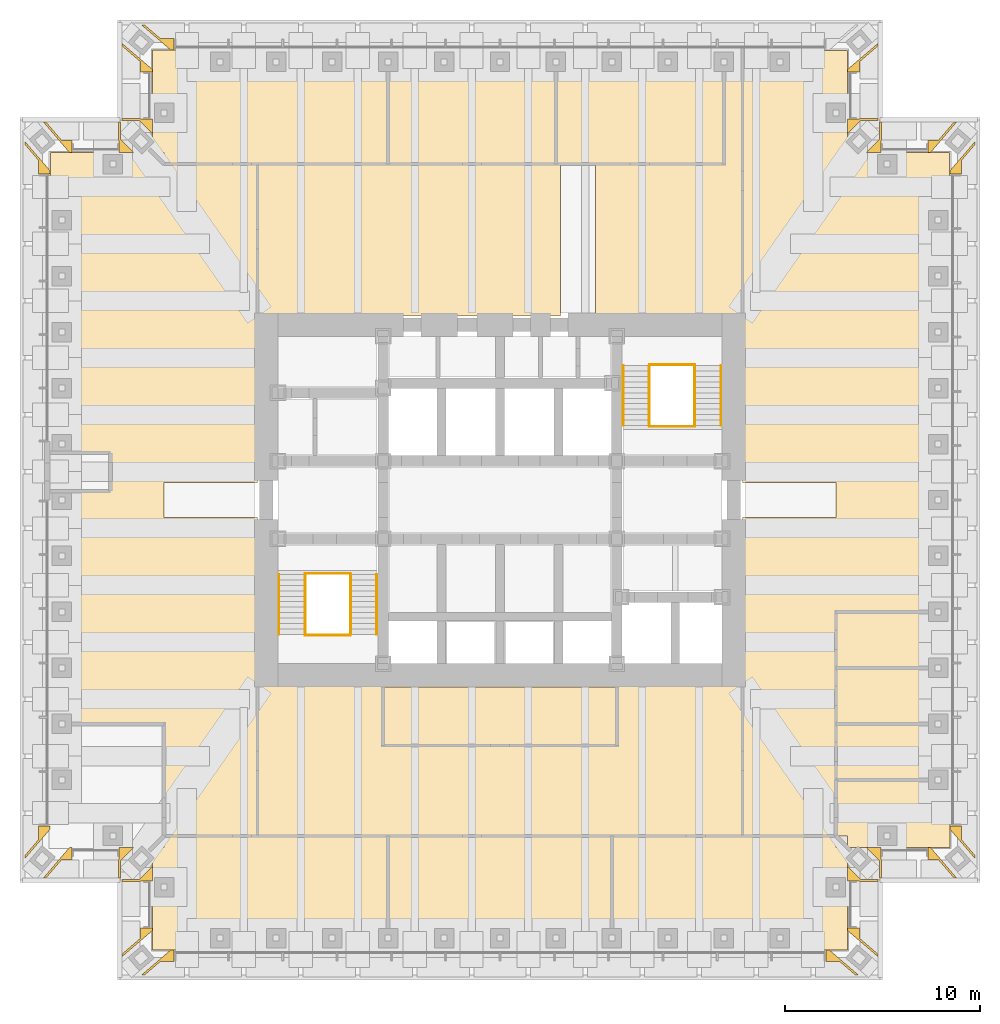
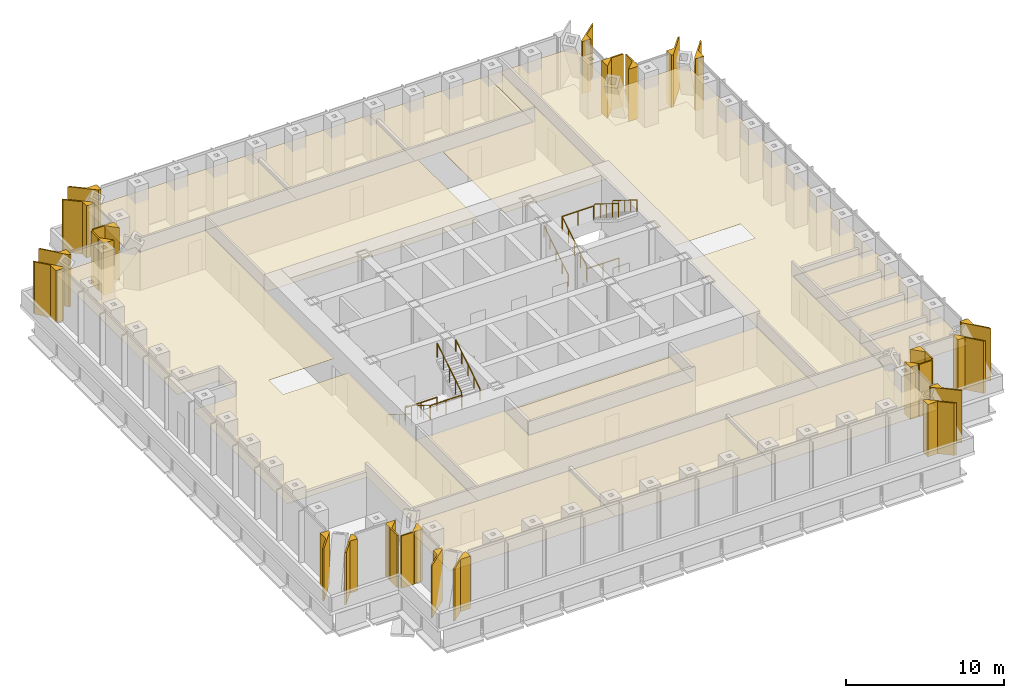
# One storey, part 12 of 13: 39 coverings, 12 railings.
"""IFC4 building model written with IfcOpenShell, lengths in metres."""

from ifc_helpers import new_model, si_unit, direction, frame, origin, origin_2d, place, context, subcontext, project, spatial, polyline, circle, outline, extrude, material, layer, layer_set, type_object, element, save


model = new_model("IFC4")

# Units and contexts
model_context = context("Model", 3, precision=1e-05, world=origin(), true_north=direction((0.0, 1.0)))
body_context = subcontext(model_context, "Body", "Model", "MODEL_VIEW")
ifc_project = project(units=[si_unit("LENGTHUNIT", "METRE"), si_unit("AREAUNIT", "SQUARE_METRE"), si_unit("VOLUMEUNIT", "CUBIC_METRE"), si_unit("PLANEANGLEUNIT", "RADIAN"), si_unit("MASSUNIT", "GRAM", prefix="KILO")], contexts=[model_context])

# Site, building, storey
site_placement = place(None, origin())
site = spatial("IfcSite", under=ifc_project, at=site_placement, CompositionType="ELEMENT")
building_placement = place(site_placement, origin())
building = spatial("IfcBuilding", under=site, at=building_placement, Name="Daluyong Arena Tower", CompositionType="ELEMENT")
storey_placement = place(building_placement, frame((0.0, 0.0, 108.10009765625)))
storey = spatial("IfcBuildingStorey", under=building, at=storey_placement, Name="L23", CompositionType="ELEMENT", Elevation=108.10009765625)

# Coverings
ifc_material_1 = material(Name="Mineral fibre ceiling tile", Category="gypsum board")
ifc_layer_1 = layer(ifc_material_1, 0.02001953125)
ifc_layer_set_1 = layer_set([ifc_layer_1], Name="Mineral fibre ceiling tile")
covering_type_1 = type_object("IfcCoveringType", Name="Office ceiling", PredefinedType="CEILING", material=ifc_layer_set_1)
covering_1_placement = place(storey_placement, frame((0.0, 0.0, 2.89990234375)))
element("IfcCovering", 1, at=covering_1_placement, inside=storey, type_object=covering_type_1, Name="ceiling L23-01", PredefinedType="CEILING", context=body_context, shape_type="SweptSolid", body=[
    extrude(outline(polyline([(38.14990234375, 62.14990234375), (38.14990234375, 56.89990234375), (50.25, 56.89990234375), (50.25, 62.75), (38.75, 62.75), (38.75, 62.14990234375), (38.14990234375, 62.14990234375)])), origin(), (0.0, 0.0, 1.0), 0.02001953125),
])
covering_2_placement = place(storey_placement, frame((0.0, 0.0, 2.89990234375)))
element("IfcCovering", 2, at=covering_2_placement, inside=storey, type_object=covering_type_1, Name="ceiling L23-02", PredefinedType="CEILING", context=body_context, shape_type="SweptSolid", body=[
    extrude(outline(polyline([(50.25, 62.75), (50.25, 56.89990234375), (61.75, 56.89990234375), (61.75, 62.75), (50.25, 62.75)])), origin(), (0.0, 0.0, 1.0), 0.02001953125),
])
covering_3_placement = place(storey_placement, frame((0.0, 0.0, 2.89990234375)))
element("IfcCovering", 3, at=covering_3_placement, inside=storey, type_object=covering_type_1, Name="ceiling L23-03", PredefinedType="CEILING", context=body_context, shape_type="SweptSolid", body=[
    extrude(outline(polyline([(73.85009765625, 56.89990234375), (73.85009765625, 62.14990234375), (73.25, 62.14990234375), (73.25, 62.75), (61.75, 62.75), (61.75, 56.89990234375), (73.85009765625, 56.89990234375)])), origin(), (0.0, 0.0, 1.0), 0.02001953125),
])
covering_4_placement = place(storey_placement, frame((0.0, 0.0, 2.89990234375)))
element("IfcCovering", 4, at=covering_4_placement, inside=storey, type_object=covering_type_1, Name="ceiling L23-04", PredefinedType="CEILING", context=body_context, shape_type="SweptSolid", body=[
    extrude(outline(polyline([(73.85009765625, 62.14990234375), (79.10009765625, 62.14990234375), (79.10009765625, 65.625), (73.25, 65.625), (73.25, 62.75), (73.85009765625, 62.75), (73.85009765625, 62.14990234375)])), origin(), (0.0, 0.0, 1.0), 0.02001953125),
])
covering_5_placement = place(storey_placement, frame((0.0, 0.0, 2.89990234375)))
element("IfcCovering", 5, at=covering_5_placement, inside=storey, type_object=covering_type_1, Name="ceiling L23-05", PredefinedType="CEILING", context=body_context, shape_type="SweptSolid", body=[
    extrude(outline(polyline([(73.25, 65.625), (79.10009765625, 65.625), (79.10009765625, 68.5), (73.25, 68.5), (73.25, 65.625)])), origin(), (0.0, 0.0, 1.0), 0.02001953125),
])
covering_6_placement = place(storey_placement, frame((0.0, 0.0, 2.89990234375)))
element("IfcCovering", 6, at=covering_6_placement, inside=storey, type_object=covering_type_1, Name="ceiling L23-06", PredefinedType="CEILING", context=body_context, shape_type="SweptSolid", body=[
    extrude(outline(polyline([(73.25, 68.5), (79.10009765625, 68.5), (79.10009765625, 71.375), (73.25, 71.375), (73.25, 68.5)])), origin(), (0.0, 0.0, 1.0), 0.02001953125),
])
covering_7_placement = place(storey_placement, frame((0.0, 0.0, 2.89990234375)))
element("IfcCovering", 7, at=covering_7_placement, inside=storey, type_object=covering_type_1, Name="ceiling L23-07", PredefinedType="CEILING", context=body_context, shape_type="SweptSolid", body=[
    extrude(outline(polyline([(73.25, 71.375), (79.10009765625, 71.375), (79.10009765625, 74.25), (73.25, 74.25), (73.25, 71.375)])), origin(), (0.0, 0.0, 1.0), 0.02001953125),
])
covering_8_placement = place(storey_placement, frame((0.0, 0.0, 2.89990234375)))
element("IfcCovering", 8, at=covering_8_placement, inside=storey, type_object=covering_type_1, Name="ceiling L23-08", PredefinedType="CEILING", context=body_context, shape_type="SweptSolid", body=[
    extrude(outline(polyline([(50.25, 97.25), (50.25, 103.10009765625), (38.14990234375, 103.10009765625), (38.14990234375, 97.85009765625), (38.75, 97.85009765625), (38.75, 97.25), (50.25, 97.25)])), origin(), (0.0, 0.0, 1.0), 0.02001953125),
])
covering_9_placement = place(storey_placement, frame((0.0, 0.0, 2.89990234375)))
element("IfcCovering", 9, at=covering_9_placement, inside=storey, type_object=covering_type_1, Name="ceiling L23-09", PredefinedType="CEILING", context=body_context, shape_type="SweptSolid", body=[
    extrude(outline(polyline([(58.875, 97.25), (58.875, 103.10009765625), (50.25, 103.10009765625), (50.25, 97.25), (58.875, 97.25)])), origin(), (0.0, 0.0, 1.0), 0.02001953125),
])
covering_10_placement = place(storey_placement, frame((0.0, 0.0, 2.89990234375)))
element("IfcCovering", 10, at=covering_10_placement, inside=storey, type_object=covering_type_1, Name="ceiling L23-10", PredefinedType="CEILING", context=body_context, shape_type="SweptSolid", body=[
    extrude(outline(polyline([(67.5, 97.25), (67.5, 103.10009765625), (58.875, 103.10009765625), (58.875, 97.25), (67.5, 97.25)])), origin(), (0.0, 0.0, 1.0), 0.02001953125),
])
covering_11_placement = place(storey_placement, frame((0.0, 0.0, 2.89990234375)))
element("IfcCovering", 11, at=covering_11_placement, inside=storey, type_object=covering_type_1, Name="ceiling L23-12", PredefinedType="CEILING", context=body_context, shape_type="SweptSolid", body=[
    extrude(outline(polyline([(50.0, 67.39990234375), (62.0, 67.39990234375), (62.0, 70.39990234375), (50.0, 70.39990234375), (50.0, 67.39990234375)])), origin(), (0.0, 0.0, 1.0), 0.02001953125),
])
covering_12_placement = place(storey_placement, frame((0.0, 0.0, 2.89990234375)))
element("IfcCovering", 12, at=covering_12_placement, inside=storey, type_object=covering_type_1, Name="ceiling L23-16", PredefinedType="CEILING", context=body_context, shape_type="SweptSolid", body=[
    extrude(outline(polyline([(68.449951171875, 70.550048828125), (43.550048828125, 70.550048828125), (43.550048828125, 62.75), (68.449951171875, 62.75), (68.449951171875, 70.550048828125)]), holes=[polyline([(62.0, 70.39990234375), (62.0, 67.39990234375), (50.0, 67.39990234375), (50.0, 70.39990234375), (62.0, 70.39990234375)])]), origin(), (0.0, 0.0, 1.0), 0.02001953125),
])
covering_13_placement = place(storey_placement, frame((0.0, 0.0, 2.89990234375)))
element("IfcCovering", 13, at=covering_13_placement, inside=storey, type_object=covering_type_1, Name="ceiling L23-17", PredefinedType="CEILING", context=body_context, shape_type="SweptSolid", body=[
    extrude(outline(polyline([(73.239990234375, 62.760009765625), (73.239990234375, 74.260009765625), (79.090087890625, 74.260009765625), (79.090087890625, 97.840087890625), (73.840087890625, 97.840087890625), (73.840087890625, 103.090087890625), (68.4599609375, 103.090087890625), (68.4599609375, 80.909912109375), (73.260009765625, 80.909912109375), (73.260009765625, 79.090087890625), (68.4599609375, 79.090087890625), (68.4599609375, 62.760009765625), (73.239990234375, 62.760009765625)])), origin(), (0.0, 0.0, 1.0), 0.02001953125),
])
covering_14_placement = place(storey_placement, frame((0.0, 0.0, 2.89990234375)))
element("IfcCovering", 14, at=covering_14_placement, inside=storey, type_object=covering_type_1, Name="ceiling L23-18", PredefinedType="CEILING", context=body_context, shape_type="SweptSolid", body=[
    extrude(outline(polyline([(43.550048828125, 97.25), (43.550048828125, 89.449951171875), (59.10009765625, 89.449951171875), (59.10009765625, 97.25), (43.550048828125, 97.25)])), origin(), (0.0, 0.0, 1.0), 0.02001953125),
])
covering_15_placement = place(storey_placement, frame((0.0, 0.0, 2.89990234375)))
element("IfcCovering", 15, at=covering_15_placement, inside=storey, type_object=covering_type_1, Name="ceiling L23-19", PredefinedType="CEILING", context=body_context, shape_type="SweptSolid", body=[
    extrude(outline(polyline([(60.89990234375, 89.449951171875), (68.449951171875, 89.449951171875), (68.449951171875, 103.10009765625), (67.5, 103.10009765625), (67.5, 97.25), (60.89990234375, 97.25), (60.89990234375, 89.449951171875)])), origin(), (0.0, 0.0, 1.0), 0.02001953125),
])
covering_16_placement = place(storey_placement, frame((0.0, 0.0, 2.89990234375)))
element("IfcCovering", 16, at=covering_16_placement, inside=storey, type_object=covering_type_1, Name="ceiling L23-20", PredefinedType="CEILING", context=body_context, shape_type="SweptSolid", body=[
    extrude(outline(polyline([(38.760009765625, 68.510009765625), (38.760009765625, 62.760009765625), (43.5400390625, 62.760009765625), (43.5400390625, 79.090087890625), (38.739990234375, 79.090087890625), (38.739990234375, 80.909912109375), (43.5400390625, 80.909912109375), (43.5400390625, 97.239990234375), (38.739990234375, 97.239990234375), (38.739990234375, 97.840087890625), (32.909912109375, 97.840087890625), (32.909912109375, 82.425048828125), (36.0, 82.425048828125), (36.0, 80.449951171875), (32.909912109375, 80.449951171875), (32.909912109375, 68.510009765625), (38.760009765625, 68.510009765625)])), origin(), (0.0, 0.0, 1.0), 0.02001953125),
])

# Railings
ifc_material_2 = material(Name="Stainless steel handrail", Category="steel")
railing_type_1 = type_object("IfcRailingType", Name="Stair handrail", PredefinedType="HANDRAIL", material=ifc_material_2)
railing_1_placement = place(storey_placement, frame((44.64990234375, 76.175048828125, 0.1748046875)))
element("IfcRailing", 17, at=railing_1_placement, inside=storey, type_object=railing_type_1, Name="exit stair A handrail L23", PredefinedType="HANDRAIL", context=body_context, shape_type="SweptSolid", body=[
    extrude(circle(Radius=0.02392578125, at=origin_2d()), frame((0.0, 0.0, 0.8759765625), z_axis=(0.0, -0.847998304005, 0.529998940003), x_axis=(1.0, 0.0, 0.0)), (0.0, 0.0, 1.0), 3.632080078125),
    extrude(circle(Radius=0.02099609375, at=origin_2d()), origin(), (0.0, 0.0, 1.0), 0.851806640625),
    extrude(circle(Radius=0.02099609375, at=origin_2d()), frame((0.0, -0.77001953125, 0.481201171875)), (0.0, 0.0, 1.0), 0.851806640625),
    extrude(circle(Radius=0.02099609375, at=origin_2d()), frame((0.0, -1.5400390625, 0.96240234375)), (0.0, 0.0, 1.0), 0.851806640625),
    extrude(circle(Radius=0.02099609375, at=origin_2d()), frame((0.0, -2.31005859375, 1.44384765625)), (0.0, 0.0, 1.0), 0.851806640625),
    extrude(circle(Radius=0.02099609375, at=origin_2d()), frame((0.0, -3.080078125, 1.925048828125)), (0.0, 0.0, 1.0), 0.851806640625),
])
for number, where, name in (
    (18, (49.675048828125, 73.094970703125, 2.27490234375), "exit stair A handrail L23"),
    (19, (62.324951171875, 83.824951171875, 0.1748046875), "exit stair B handrail L23"),
):
    element("IfcRailing", number, at=place(storey_placement, frame(where)), inside=storey, type_object=railing_type_1, Name=name, PredefinedType="HANDRAIL", context=body_context, shape_type="SweptSolid", body=[
        extrude(circle(Radius=0.02392578125, at=origin_2d()), frame((0.0, 0.0, 0.8759765625), z_axis=(0.0, 0.847998304005, 0.529998940003), x_axis=(-1.0, 0.0, 0.0)), (0.0, 0.0, 1.0), 3.632080078125),
        extrude(circle(Radius=0.02099609375, at=origin_2d()), origin(), (0.0, 0.0, 1.0), 0.851806640625),
        extrude(circle(Radius=0.02099609375, at=origin_2d()), frame((0.0, 0.77001953125, 0.481201171875)), (0.0, 0.0, 1.0), 0.851806640625),
        extrude(circle(Radius=0.02099609375, at=origin_2d()), frame((0.0, 1.5400390625, 0.96240234375)), (0.0, 0.0, 1.0), 0.851806640625),
        extrude(circle(Radius=0.02099609375, at=origin_2d()), frame((0.0, 2.31005859375, 1.44384765625)), (0.0, 0.0, 1.0), 0.851806640625),
        extrude(circle(Radius=0.02099609375, at=origin_2d()), frame((0.0, 3.080078125, 1.925048828125)), (0.0, 0.0, 1.0), 0.851806640625),
    ])
railing_2_placement = place(storey_placement, frame((67.35009765625, 86.905029296875, 2.27490234375)))
element("IfcRailing", 20, at=railing_2_placement, inside=storey, type_object=railing_type_1, Name="exit stair B handrail L23", PredefinedType="HANDRAIL", context=body_context, shape_type="SweptSolid", body=[
    extrude(circle(Radius=0.02392578125, at=origin_2d()), frame((0.0, 0.0, 0.8759765625), z_axis=(0.0, -0.847998304005, 0.529998940003), x_axis=(1.0, 0.0, 0.0)), (0.0, 0.0, 1.0), 3.632080078125),
    extrude(circle(Radius=0.02099609375, at=origin_2d()), origin(), (0.0, 0.0, 1.0), 0.851806640625),
    extrude(circle(Radius=0.02099609375, at=origin_2d()), frame((0.0, -0.77001953125, 0.481201171875)), (0.0, 0.0, 1.0), 0.851806640625),
    extrude(circle(Radius=0.02099609375, at=origin_2d()), frame((0.0, -1.5400390625, 0.96240234375)), (0.0, 0.0, 1.0), 0.851806640625),
    extrude(circle(Radius=0.02099609375, at=origin_2d()), frame((0.0, -2.31005859375, 1.44384765625)), (0.0, 0.0, 1.0), 0.851806640625),
    extrude(circle(Radius=0.02099609375, at=origin_2d()), frame((0.0, -3.080078125, 1.925048828125)), (0.0, 0.0, 1.0), 0.851806640625),
])
ifc_material_3 = material(Name="Steel balustrade", Category="steel")
railing_type_2 = type_object("IfcRailingType", Name="Stair well guard 1100", PredefinedType="GUARDRAIL", material=ifc_material_3)
railing_3_placement = place(storey_placement, frame((46.0, 76.175048828125, 0.1748046875)))
element("IfcRailing", 21, at=railing_3_placement, inside=storey, type_object=railing_type_2, Name="exit stair A well guard L23", PredefinedType="GUARDRAIL", context=body_context, shape_type="SweptSolid", body=[
    extrude(circle(Radius=0.02392578125, at=origin_2d()), frame((0.0, 0.0, 1.076171875), z_axis=(0.0, -0.847998304005, 0.529998940003), x_axis=(1.0, 0.0, 0.0)), (0.0, 0.0, 1.0), 3.632080078125),
    extrude(circle(Radius=0.02099609375, at=origin_2d()), origin(), (0.0, 0.0, 1.0), 1.052001953125),
    extrude(circle(Radius=0.02099609375, at=origin_2d()), frame((0.0, -0.77001953125, 0.481201171875)), (0.0, 0.0, 1.0), 1.052001953125),
    extrude(circle(Radius=0.02099609375, at=origin_2d()), frame((0.0, -1.5400390625, 0.96240234375)), (0.0, 0.0, 1.0), 1.052001953125),
    extrude(circle(Radius=0.02099609375, at=origin_2d()), frame((0.0, -2.31005859375, 1.44384765625)), (0.0, 0.0, 1.0), 1.052001953125),
    extrude(circle(Radius=0.02099609375, at=origin_2d()), frame((0.0, -3.080078125, 1.925048828125)), (0.0, 0.0, 1.0), 1.052001953125),
])
railing_4_placement = place(storey_placement, frame((48.324951171875, 73.094970703125, 2.27490234375)))
element("IfcRailing", 22, at=railing_4_placement, inside=storey, type_object=railing_type_2, Name="exit stair A well guard L23", PredefinedType="GUARDRAIL", context=body_context, shape_type="SweptSolid", body=[
    extrude(circle(Radius=0.02392578125, at=origin_2d()), frame((0.0, 0.0, 1.076171875), z_axis=(0.0, 0.847998304005, 0.529998940003), x_axis=(-1.0, 0.0, 0.0)), (0.0, 0.0, 1.0), 3.632080078125),
    extrude(circle(Radius=0.02099609375, at=origin_2d()), origin(), (0.0, 0.0, 1.0), 1.052001953125),
    extrude(circle(Radius=0.02099609375, at=origin_2d()), frame((0.0, 0.77001953125, 0.481201171875)), (0.0, 0.0, 1.0), 1.052001953125),
    extrude(circle(Radius=0.02099609375, at=origin_2d()), frame((0.0, 1.5400390625, 0.96240234375)), (0.0, 0.0, 1.0), 1.052001953125),
    extrude(circle(Radius=0.02099609375, at=origin_2d()), frame((0.0, 2.31005859375, 1.44384765625)), (0.0, 0.0, 1.0), 1.052001953125),
    extrude(circle(Radius=0.02099609375, at=origin_2d()), frame((0.0, 3.080078125, 1.925048828125)), (0.0, 0.0, 1.0), 1.052001953125),
])
for number, where, name in (
    (23, (46.0, 73.044921875, 2.099853515625), "exit stair A landing guard L23"),
    (24, (46.0, 76.22509765625, 0.0), "exit stair A floor landing guard L23"),
):
    element("IfcRailing", number, at=place(storey_placement, frame(where)), inside=storey, type_object=railing_type_2, Name=name, PredefinedType="GUARDRAIL", context=body_context, shape_type="SweptSolid", body=[
        extrude(circle(Radius=0.02392578125, at=origin_2d()), frame((0.0, 0.0, 1.076171875), z_axis=(1.0, 0.0, 0.0), x_axis=(0.0, 1.0, 0.0)), (0.0, 0.0, 1.0), 2.324951171875),
        extrude(circle(Radius=0.02099609375, at=origin_2d()), origin(), (0.0, 0.0, 1.0), 1.052001953125),
        extrude(circle(Radius=0.02099609375, at=origin_2d()), frame((1.16259765625, 0.0, 0.0)), (0.0, 0.0, 1.0), 1.052001953125),
        extrude(circle(Radius=0.02099609375, at=origin_2d()), frame((2.324951171875, 0.0, 0.0)), (0.0, 0.0, 1.0), 1.052001953125),
    ])
railing_5_placement = place(storey_placement, frame((63.675048828125, 83.824951171875, 0.1748046875)))
element("IfcRailing", 25, at=railing_5_placement, inside=storey, type_object=railing_type_2, Name="exit stair B well guard L23", PredefinedType="GUARDRAIL", context=body_context, shape_type="SweptSolid", body=[
    extrude(circle(Radius=0.02392578125, at=origin_2d()), frame((0.0, 0.0, 1.076171875), z_axis=(0.0, 0.847998304005, 0.529998940003), x_axis=(-1.0, 0.0, 0.0)), (0.0, 0.0, 1.0), 3.632080078125),
    extrude(circle(Radius=0.02099609375, at=origin_2d()), origin(), (0.0, 0.0, 1.0), 1.052001953125),
    extrude(circle(Radius=0.02099609375, at=origin_2d()), frame((0.0, 0.77001953125, 0.481201171875)), (0.0, 0.0, 1.0), 1.052001953125),
    extrude(circle(Radius=0.02099609375, at=origin_2d()), frame((0.0, 1.5400390625, 0.96240234375)), (0.0, 0.0, 1.0), 1.052001953125),
    extrude(circle(Radius=0.02099609375, at=origin_2d()), frame((0.0, 2.31005859375, 1.44384765625)), (0.0, 0.0, 1.0), 1.052001953125),
    extrude(circle(Radius=0.02099609375, at=origin_2d()), frame((0.0, 3.080078125, 1.925048828125)), (0.0, 0.0, 1.0), 1.052001953125),
])
railing_6_placement = place(storey_placement, frame((66.0, 86.905029296875, 2.27490234375)))
element("IfcRailing", 26, at=railing_6_placement, inside=storey, type_object=railing_type_2, Name="exit stair B well guard L23", PredefinedType="GUARDRAIL", context=body_context, shape_type="SweptSolid", body=[
    extrude(circle(Radius=0.02392578125, at=origin_2d()), frame((0.0, 0.0, 1.076171875), z_axis=(0.0, -0.847998304005, 0.529998940003), x_axis=(1.0, 0.0, 0.0)), (0.0, 0.0, 1.0), 3.632080078125),
    extrude(circle(Radius=0.02099609375, at=origin_2d()), origin(), (0.0, 0.0, 1.0), 1.052001953125),
    extrude(circle(Radius=0.02099609375, at=origin_2d()), frame((0.0, -0.77001953125, 0.481201171875)), (0.0, 0.0, 1.0), 1.052001953125),
    extrude(circle(Radius=0.02099609375, at=origin_2d()), frame((0.0, -1.5400390625, 0.96240234375)), (0.0, 0.0, 1.0), 1.052001953125),
    extrude(circle(Radius=0.02099609375, at=origin_2d()), frame((0.0, -2.31005859375, 1.44384765625)), (0.0, 0.0, 1.0), 1.052001953125),
    extrude(circle(Radius=0.02099609375, at=origin_2d()), frame((0.0, -3.080078125, 1.925048828125)), (0.0, 0.0, 1.0), 1.052001953125),
])
for number, where, name in (
    (27, (63.675048828125, 86.955078125, 2.099853515625), "exit stair B landing guard L23"),
    (28, (63.675048828125, 83.77490234375, 0.0), "exit stair B floor landing guard L23"),
):
    element("IfcRailing", number, at=place(storey_placement, frame(where)), inside=storey, type_object=railing_type_2, Name=name, PredefinedType="GUARDRAIL", context=body_context, shape_type="SweptSolid", body=[
        extrude(circle(Radius=0.02392578125, at=origin_2d()), frame((0.0, 0.0, 1.076171875), z_axis=(1.0, 0.0, 0.0), x_axis=(0.0, 1.0, 0.0)), (0.0, 0.0, 1.0), 2.324951171875),
        extrude(circle(Radius=0.02099609375, at=origin_2d()), origin(), (0.0, 0.0, 1.0), 1.052001953125),
        extrude(circle(Radius=0.02099609375, at=origin_2d()), frame((1.16259765625, 0.0, 0.0)), (0.0, 0.0, 1.0), 1.052001953125),
        extrude(circle(Radius=0.02099609375, at=origin_2d()), frame((2.324951171875, 0.0, 0.0)), (0.0, 0.0, 1.0), 1.052001953125),
    ])

# Coverings
ifc_material_4 = material(Name="Bronze anodised aluminium cladding", Category="aluminium")
ifc_layer_2 = layer(ifc_material_4, 0.10009765625)
ifc_layer_set_2 = layer_set([ifc_layer_2], Name="Bronze anodised aluminium cladding")
covering_type_2 = type_object("IfcCoveringType", Name="Transition column casing 100", PredefinedType="CLADDING", material=ifc_layer_set_2)
covering_17_placement = place(storey_placement, origin())
element("IfcCovering", 29, at=covering_17_placement, inside=storey, type_object=covering_type_2, Name="transition column casing L23 1", PredefinedType="CLADDING", context=body_context, shape_type="SweptSolid", body=[
    extrude(outline(polyline([(37.550048828125, 57.504638671875), (37.550048828125, 58.029052734375), (38.14990234375, 58.029052734375), (38.14990234375, 57.88720703125), (36.60009765625, 56.55859375), (36.60009765625, 56.6904296875), (37.550048828125, 57.504638671875)])), origin(), (0.0, 0.0, 1.0), 4.039794921875),
])
covering_18_placement = place(storey_placement, origin())
element("IfcCovering", 30, at=covering_18_placement, inside=storey, type_object=covering_type_2, Name="transition column casing L23 2", PredefinedType="CLADDING", context=body_context, shape_type="SweptSolid", body=[
    extrude(outline(polyline([(39.101806640625, 56.89990234375), (39.265380859375, 56.89990234375), (39.265380859375, 56.300048828125), (38.555419921875, 56.300048828125), (37.73876953125, 55.60009765625), (37.585205078125, 55.60009765625), (39.101806640625, 56.89990234375)])), origin(), (0.0, 0.0, 1.0), 4.039794921875),
])
covering_19_placement = place(storey_placement, origin())
element("IfcCovering", 31, at=covering_19_placement, inside=storey, type_object=covering_type_2, Name="transition column casing L23 1", PredefinedType="CLADDING", context=body_context, shape_type="SweptSolid", body=[
    extrude(outline(polyline([(72.734619140625, 56.89990234375), (72.898193359375, 56.89990234375), (74.414794921875, 55.60009765625), (74.26123046875, 55.60009765625), (73.444580078125, 56.300048828125), (72.734619140625, 56.300048828125), (72.734619140625, 56.89990234375)])), origin(), (0.0, 0.0, 1.0), 4.039794921875),
])
covering_20_placement = place(storey_placement, origin())
element("IfcCovering", 32, at=covering_20_placement, inside=storey, type_object=covering_type_2, Name="transition column casing L23 2", PredefinedType="CLADDING", context=body_context, shape_type="SweptSolid", body=[
    extrude(outline(polyline([(73.85009765625, 57.88720703125), (73.85009765625, 58.029052734375), (74.449951171875, 58.029052734375), (74.449951171875, 57.504638671875), (75.39990234375, 56.6904296875), (75.39990234375, 56.55859375), (73.85009765625, 57.88720703125)])), origin(), (0.0, 0.0, 1.0), 4.039794921875),
])
covering_21_placement = place(storey_placement, origin())
element("IfcCovering", 33, at=covering_21_placement, inside=storey, type_object=covering_type_2, Name="transition column casing L23 1", PredefinedType="CLADDING", context=body_context, shape_type="SweptSolid", body=[
    extrude(outline(polyline([(74.48779296875, 60.39990234375), (74.449951171875, 60.43798828125), (74.449951171875, 60.427978515625), (73.85009765625, 60.427978515625), (73.85009765625, 61.17919921875), (74.529296875, 60.5), (75.39990234375, 60.5), (75.39990234375, 60.39990234375), (74.48779296875, 60.39990234375)])), origin(), (0.0, 0.0, 1.0), 4.039794921875),
])
covering_22_placement = place(storey_placement, origin())
element("IfcCovering", 34, at=covering_22_placement, inside=storey, type_object=covering_type_2, Name="transition column casing L23 2", PredefinedType="CLADDING", context=body_context, shape_type="SweptSolid", body=[
    extrude(outline(polyline([(75.572021484375, 62.14990234375), (75.572021484375, 61.550048828125), (75.56201171875, 61.550048828125), (75.60009765625, 61.51220703125), (75.60009765625, 60.60009765625), (75.5, 60.60009765625), (75.5, 61.470703125), (74.82080078125, 62.14990234375), (75.572021484375, 62.14990234375)])), origin(), (0.0, 0.0, 1.0), 4.039794921875),
])
covering_23_placement = place(storey_placement, origin())
element("IfcCovering", 35, at=covering_23_placement, inside=storey, type_object=covering_type_2, Name="transition column casing L23 1", PredefinedType="CLADDING", context=body_context, shape_type="SweptSolid", body=[
    extrude(outline(polyline([(77.970947265625, 62.14990234375), (78.11279296875, 62.14990234375), (79.44140625, 60.60009765625), (79.3095703125, 60.60009765625), (78.495361328125, 61.550048828125), (77.970947265625, 61.550048828125), (77.970947265625, 62.14990234375)])), origin(), (0.0, 0.0, 1.0), 4.039794921875),
])
covering_24_placement = place(storey_placement, origin())
element("IfcCovering", 36, at=covering_24_placement, inside=storey, type_object=covering_type_2, Name="transition column casing L23 2", PredefinedType="CLADDING", context=body_context, shape_type="SweptSolid", body=[
    extrude(outline(polyline([(79.10009765625, 63.101806640625), (79.10009765625, 63.265380859375), (79.699951171875, 63.265380859375), (79.699951171875, 62.555419921875), (80.39990234375, 61.73876953125), (80.39990234375, 61.585205078125), (79.10009765625, 63.101806640625)])), origin(), (0.0, 0.0, 1.0), 4.039794921875),
])
covering_25_placement = place(storey_placement, origin())
element("IfcCovering", 37, at=covering_25_placement, inside=storey, type_object=covering_type_2, Name="transition column casing L23 1", PredefinedType="CLADDING", context=body_context, shape_type="SweptSolid", body=[
    extrude(outline(polyline([(77.970947265625, 97.85009765625), (77.970947265625, 98.449951171875), (78.495361328125, 98.449951171875), (79.3095703125, 99.39990234375), (79.44140625, 99.39990234375), (78.11279296875, 97.85009765625), (77.970947265625, 97.85009765625)])), origin(), (0.0, 0.0, 1.0), 4.039794921875),
])
covering_26_placement = place(storey_placement, origin())
element("IfcCovering", 38, at=covering_26_placement, inside=storey, type_object=covering_type_2, Name="transition column casing L23 2", PredefinedType="CLADDING", context=body_context, shape_type="SweptSolid", body=[
    extrude(outline(polyline([(79.699951171875, 97.444580078125), (79.699951171875, 96.734619140625), (79.10009765625, 96.734619140625), (79.10009765625, 96.898193359375), (80.39990234375, 98.414794921875), (80.39990234375, 98.26123046875), (79.699951171875, 97.444580078125)])), origin(), (0.0, 0.0, 1.0), 4.039794921875),
])
covering_27_placement = place(storey_placement, origin())
element("IfcCovering", 39, at=covering_27_placement, inside=storey, type_object=covering_type_2, Name="transition column casing L23 1", PredefinedType="CLADDING", context=body_context, shape_type="SweptSolid", body=[
    extrude(outline(polyline([(73.85009765625, 99.572021484375), (74.449951171875, 99.572021484375), (74.449951171875, 99.56201171875), (74.48779296875, 99.60009765625), (75.39990234375, 99.60009765625), (75.39990234375, 99.5), (74.529296875, 99.5), (73.85009765625, 98.82080078125), (73.85009765625, 99.572021484375)])), origin(), (0.0, 0.0, 1.0), 4.039794921875),
])
covering_28_placement = place(storey_placement, origin())
element("IfcCovering", 40, at=covering_28_placement, inside=storey, type_object=covering_type_2, Name="transition column casing L23 2", PredefinedType="CLADDING", context=body_context, shape_type="SweptSolid", body=[
    extrude(outline(polyline([(75.60009765625, 98.48779296875), (75.56201171875, 98.449951171875), (75.572021484375, 98.449951171875), (75.572021484375, 97.85009765625), (74.82080078125, 97.85009765625), (75.5, 98.529296875), (75.5, 99.39990234375), (75.60009765625, 99.39990234375), (75.60009765625, 98.48779296875)])), origin(), (0.0, 0.0, 1.0), 4.039794921875),
])
covering_29_placement = place(storey_placement, origin())
element("IfcCovering", 41, at=covering_29_placement, inside=storey, type_object=covering_type_2, Name="transition column casing L23 2", PredefinedType="CLADDING", context=body_context, shape_type="SweptSolid", body=[
    extrude(outline(polyline([(74.449951171875, 102.495361328125), (74.449951171875, 101.970947265625), (73.85009765625, 101.970947265625), (73.85009765625, 102.11279296875), (75.39990234375, 103.44140625), (75.39990234375, 103.3095703125), (74.449951171875, 102.495361328125)])), origin(), (0.0, 0.0, 1.0), 4.039794921875),
])
covering_30_placement = place(storey_placement, origin())
element("IfcCovering", 42, at=covering_30_placement, inside=storey, type_object=covering_type_2, Name="transition column casing L23 1", PredefinedType="CLADDING", context=body_context, shape_type="SweptSolid", body=[
    extrude(outline(polyline([(38.14990234375, 102.11279296875), (38.14990234375, 101.970947265625), (37.550048828125, 101.970947265625), (37.550048828125, 102.495361328125), (36.60009765625, 103.3095703125), (36.60009765625, 103.44140625), (38.14990234375, 102.11279296875)])), origin(), (0.0, 0.0, 1.0), 4.039794921875),
])
covering_31_placement = place(storey_placement, origin())
element("IfcCovering", 43, at=covering_31_placement, inside=storey, type_object=covering_type_2, Name="transition column casing L23 2", PredefinedType="CLADDING", context=body_context, shape_type="SweptSolid", body=[
    extrude(outline(polyline([(38.555419921875, 103.699951171875), (39.265380859375, 103.699951171875), (39.265380859375, 103.10009765625), (39.101806640625, 103.10009765625), (37.585205078125, 104.39990234375), (37.73876953125, 104.39990234375), (38.555419921875, 103.699951171875)])), origin(), (0.0, 0.0, 1.0), 4.039794921875),
])
covering_32_placement = place(storey_placement, origin())
element("IfcCovering", 44, at=covering_32_placement, inside=storey, type_object=covering_type_2, Name="transition column casing L23 1", PredefinedType="CLADDING", context=body_context, shape_type="SweptSolid", body=[
    extrude(outline(polyline([(36.427978515625, 98.449951171875), (36.43798828125, 98.449951171875), (36.39990234375, 98.48779296875), (36.39990234375, 99.39990234375), (36.5, 99.39990234375), (36.5, 98.529296875), (37.17919921875, 97.85009765625), (36.427978515625, 97.85009765625), (36.427978515625, 98.449951171875)])), origin(), (0.0, 0.0, 1.0), 4.039794921875),
])
covering_33_placement = place(storey_placement, origin())
element("IfcCovering", 45, at=covering_33_placement, inside=storey, type_object=covering_type_2, Name="transition column casing L23 2", PredefinedType="CLADDING", context=body_context, shape_type="SweptSolid", body=[
    extrude(outline(polyline([(37.51220703125, 99.60009765625), (37.550048828125, 99.56201171875), (37.550048828125, 99.572021484375), (38.14990234375, 99.572021484375), (38.14990234375, 98.82080078125), (37.470703125, 99.5), (36.60009765625, 99.5), (36.60009765625, 99.60009765625), (37.51220703125, 99.60009765625)])), origin(), (0.0, 0.0, 1.0), 4.039794921875),
])
covering_34_placement = place(storey_placement, origin())
element("IfcCovering", 46, at=covering_34_placement, inside=storey, type_object=covering_type_2, Name="transition column casing L23 1", PredefinedType="CLADDING", context=body_context, shape_type="SweptSolid", body=[
    extrude(outline(polyline([(32.89990234375, 96.898193359375), (32.89990234375, 96.734619140625), (32.300048828125, 96.734619140625), (32.300048828125, 97.444580078125), (31.60009765625, 98.26123046875), (31.60009765625, 98.414794921875), (32.89990234375, 96.898193359375)])), origin(), (0.0, 0.0, 1.0), 4.039794921875),
])
covering_35_placement = place(storey_placement, origin())
element("IfcCovering", 47, at=covering_35_placement, inside=storey, type_object=covering_type_2, Name="transition column casing L23 2", PredefinedType="CLADDING", context=body_context, shape_type="SweptSolid", body=[
    extrude(outline(polyline([(33.504638671875, 98.449951171875), (34.029052734375, 98.449951171875), (34.029052734375, 97.85009765625), (33.88720703125, 97.85009765625), (32.55859375, 99.39990234375), (32.6904296875, 99.39990234375), (33.504638671875, 98.449951171875)])), origin(), (0.0, 0.0, 1.0), 4.039794921875),
])
covering_36_placement = place(storey_placement, origin())
element("IfcCovering", 48, at=covering_36_placement, inside=storey, type_object=covering_type_2, Name="transition column casing L23 1", PredefinedType="CLADDING", context=body_context, shape_type="SweptSolid", body=[
    extrude(outline(polyline([(32.300048828125, 62.555419921875), (32.300048828125, 63.265380859375), (32.89990234375, 63.265380859375), (32.89990234375, 63.101806640625), (31.60009765625, 61.585205078125), (31.60009765625, 61.73876953125), (32.300048828125, 62.555419921875)])), origin(), (0.0, 0.0, 1.0), 4.039794921875),
])
covering_37_placement = place(storey_placement, origin())
element("IfcCovering", 49, at=covering_37_placement, inside=storey, type_object=covering_type_2, Name="transition column casing L23 2", PredefinedType="CLADDING", context=body_context, shape_type="SweptSolid", body=[
    extrude(outline(polyline([(33.88720703125, 62.14990234375), (34.029052734375, 62.14990234375), (34.029052734375, 61.550048828125), (33.504638671875, 61.550048828125), (32.6904296875, 60.60009765625), (32.55859375, 60.60009765625), (33.88720703125, 62.14990234375)])), origin(), (0.0, 0.0, 1.0), 4.039794921875),
])
covering_38_placement = place(storey_placement, origin())
element("IfcCovering", 50, at=covering_38_placement, inside=storey, type_object=covering_type_2, Name="transition column casing L23 1", PredefinedType="CLADDING", context=body_context, shape_type="SweptSolid", body=[
    extrude(outline(polyline([(36.39990234375, 61.51220703125), (36.43798828125, 61.550048828125), (36.427978515625, 61.550048828125), (36.427978515625, 62.14990234375), (37.17919921875, 62.14990234375), (36.5, 61.470703125), (36.5, 60.60009765625), (36.39990234375, 60.60009765625), (36.39990234375, 61.51220703125)])), origin(), (0.0, 0.0, 1.0), 4.039794921875),
])
covering_39_placement = place(storey_placement, origin())
element("IfcCovering", 51, at=covering_39_placement, inside=storey, type_object=covering_type_2, Name="transition column casing L23 2", PredefinedType="CLADDING", context=body_context, shape_type="SweptSolid", body=[
    extrude(outline(polyline([(37.470703125, 60.5), (38.14990234375, 61.17919921875), (38.14990234375, 60.427978515625), (37.550048828125, 60.427978515625), (37.550048828125, 60.43798828125), (37.51220703125, 60.39990234375), (36.60009765625, 60.39990234375), (36.60009765625, 60.5), (37.470703125, 60.5)])), origin(), (0.0, 0.0, 1.0), 4.039794921875),
])

save(model, "model.ifc")
